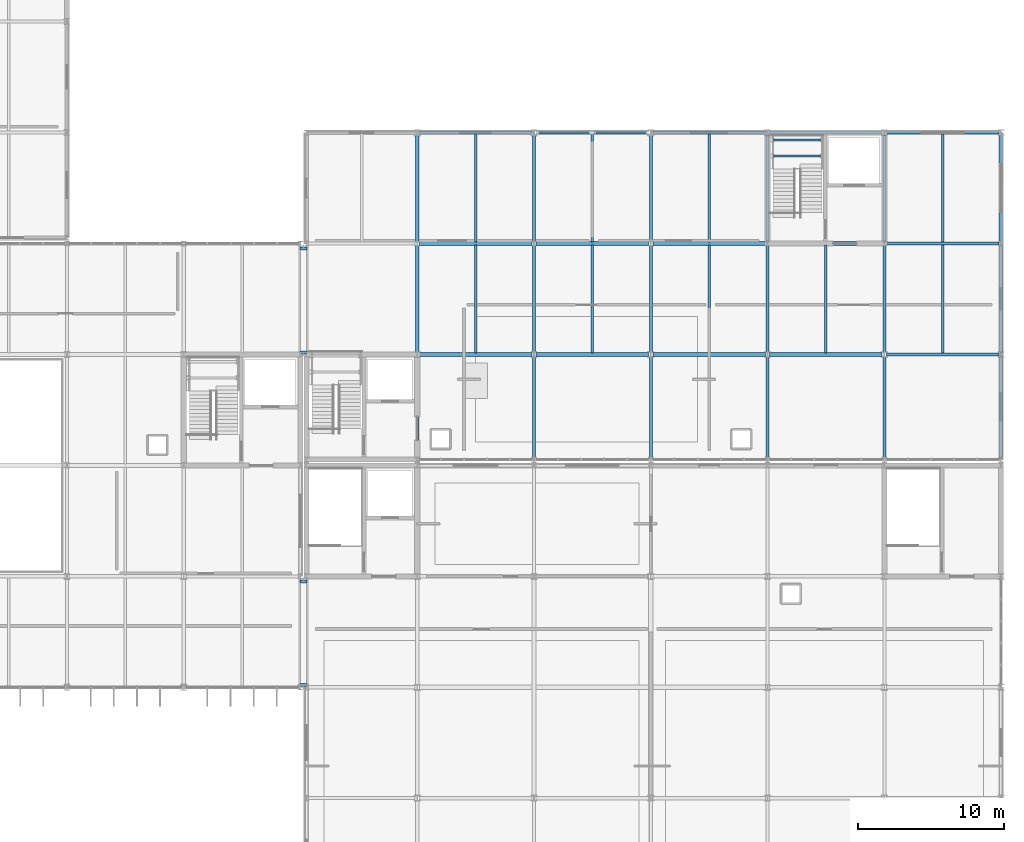
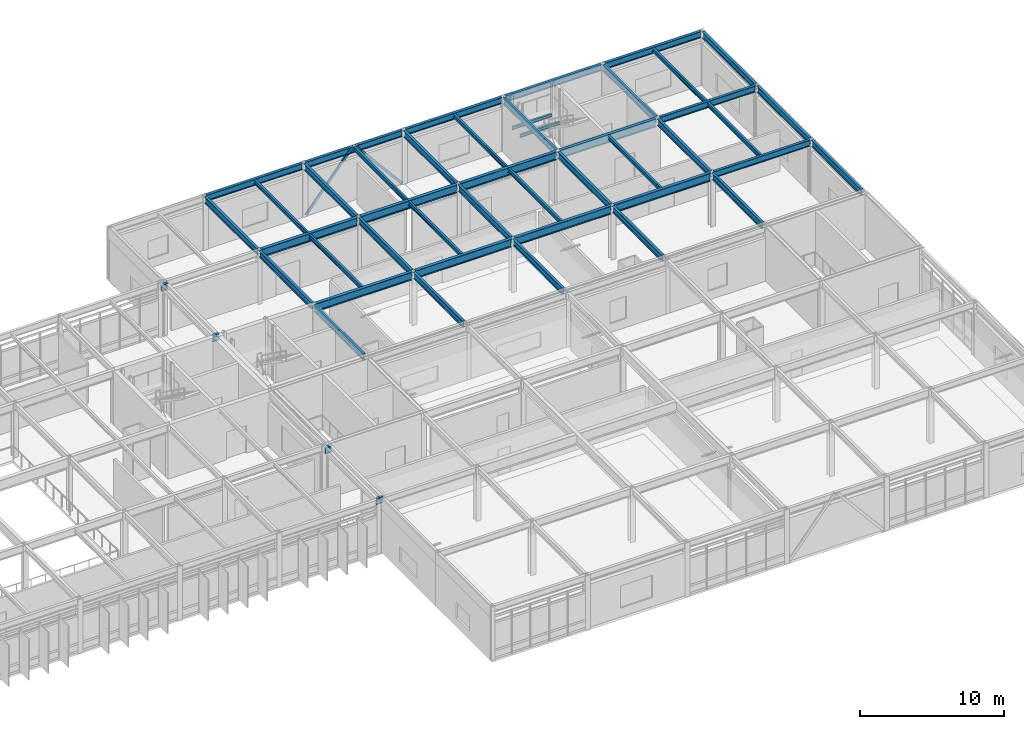
# One storey, part 68 of 104: 48 beams, 2 members.
"""IFC4 building model written with IfcOpenShell, lengths in metres."""

import ifcopenshell
import ifcopenshell.guid

model = None  # the IFC model being written
_history = None  # IfcOwnerHistory: only IFC2X3 demands one
_inside = {}  # id of a spatial element -> (the spatial element, [elements in it])
_under = {}  # id of a project, library or spatial element -> (it, [spatial elements below it])
_declared = {}  # id of a project -> (the project, [libraries it declares])
_typed = {}  # id of a type object -> (the type object, [elements of that type])
_made_of = {}  # id of a material, layer set ... -> (it, [elements and type objects made of it])


def new_model(schema):
    """Start an empty IFC model of exactly this schema.

    Asked for "IFC4X3", IfcOpenShell would pick the latest addendum, in which some entities
    have other attributes; the version numbers below select the first issue.
    IFC2X3 requires an IfcOwnerHistory on every rooted entity: one is made here for all.
    """
    global model, _history
    if schema == "IFC4X3":
        model = ifcopenshell.file(schema_version=(4, 3, 0, 0))
    else:
        model = ifcopenshell.file(schema=schema)
    _inside.clear()
    _under.clear()
    _declared.clear()
    _typed.clear()
    _made_of.clear()
    _history = None
    if model.schema == "IFC2X3":
        org = make("IfcOrganization", Name="unknown")
        user = make(
            "IfcPersonAndOrganization",
            ThePerson=make("IfcPerson", FamilyName="unknown"),
            TheOrganization=org,
        )
        app = make(
            "IfcApplication",
            ApplicationDeveloper=org,
            Version="unknown",
            ApplicationFullName="unknown",
            ApplicationIdentifier="unknown",
        )
        _history = make(
            "IfcOwnerHistory",
            OwningUser=user,
            OwningApplication=app,
            ChangeAction="ADDED",
            CreationDate=0,
        )
    return model


def make(cls, **values):
    """One entity of the class cls with the attributes given. An attribute that is None is left unset."""
    return model.create_entity(
        cls, **{name: value for name, value in values.items() if value is not None}
    )


def rooted(cls, **values):
    """An entity with a GlobalId (a new one), such as an element, a storey or a relation."""
    return make(cls, GlobalId=ifcopenshell.guid.new(), OwnerHistory=_history, **values)


def si_unit(unit_type, name, prefix=None):
    """IfcSIUnit, for example si_unit("LENGTHUNIT", "METRE", prefix="MILLI")."""
    return make("IfcSIUnit", UnitType=unit_type, Prefix=prefix, Name=name)


def assignment(units):
    """IfcUnitAssignment: the units of a project."""
    return None if units is None else make("IfcUnitAssignment", Units=units)


def point(xyz):
    """IfcCartesianPoint."""
    return None if xyz is None else make("IfcCartesianPoint", Coordinates=xyz)


def direction(xyz):
    """IfcDirection."""
    return None if xyz is None else make("IfcDirection", DirectionRatios=xyz)


def frame(location, z_axis=None, x_axis=None):
    """IfcAxis2Placement3D, a coordinate frame: its origin and axes. An axis left out is left unset."""
    return make(
        "IfcAxis2Placement3D",
        Location=point(location),
        Axis=direction(z_axis),
        RefDirection=direction(x_axis),
    )


def frame_2d(location, x_axis=None):
    """IfcAxis2Placement2D, a coordinate frame in the plane: its origin and x axis."""
    return make(
        "IfcAxis2Placement2D", Location=point(location), RefDirection=direction(x_axis)
    )


def origin():
    """The frame at (0, 0, 0) with its axes left unset."""
    return frame((0.0, 0.0, 0.0))


def origin_2d():
    """The frame at (0, 0) in the plane with its x axis left unset."""
    return frame_2d((0.0, 0.0))


def place(relative_to, where):
    """IfcLocalPlacement: puts the frame where relative to a parent placement (None: the world)."""
    return make(
        "IfcLocalPlacement", PlacementRelTo=relative_to, RelativePlacement=where
    )


def context(
    kind, dimensions, precision=None, world=None, true_north=None, identifier=None
):
    """IfcGeometricRepresentationContext, for example the 3D "Model" context."""
    return make(
        "IfcGeometricRepresentationContext",
        ContextIdentifier=identifier,
        ContextType=kind,
        CoordinateSpaceDimension=dimensions,
        Precision=precision,
        WorldCoordinateSystem=world,
        TrueNorth=true_north,
    )


def subcontext(parent, identifier, kind, view, scale=None):
    """IfcGeometricRepresentationSubContext, for example "Body" below "Model"."""
    return make(
        "IfcGeometricRepresentationSubContext",
        ContextIdentifier=identifier,
        ContextType=kind,
        ParentContext=parent,
        TargetScale=scale,
        TargetView=view,
    )


def project(units=None, contexts=None):
    """IfcProject with its units and contexts."""
    return rooted(
        "IfcProject",
        Name="project",
        RepresentationContexts=contexts,
        UnitsInContext=assignment(units),
    )


def spatial(cls, under=None, at=None, **own):
    """A site, building, storey or space (cls), placed at a placement, below another one or the project."""
    s = rooted(cls, ObjectPlacement=at, **own)
    if under is not None:
        _under.setdefault(under.id(), (under, []))[1].append(s)
    return s


def profile(cls, at=None, kind="AREA", **sizes):
    """A parametric profile (cls). Its sizes go by their IFC names, for example OverallWidth=200.0."""
    return make(cls, ProfileType=kind, Position=at, **sizes)


def hollow_rectangle(**sizes):
    """IfcRectangleHollowProfileDef."""
    return profile("IfcRectangleHollowProfileDef", **sizes)


def i_section(**sizes):
    """IfcIShapeProfileDef."""
    return profile("IfcIShapeProfileDef", **sizes)


def extrude(swept, where, along, depth):
    """IfcExtrudedAreaSolid: the profile swept, set in the frame where, extruded along a direction by depth."""
    return make(
        "IfcExtrudedAreaSolid",
        SweptArea=swept,
        Position=where,
        ExtrudedDirection=direction(along),
        Depth=depth,
    )


def shape(context_of_items, identifier, shape_type, items):
    """IfcShapeRepresentation: the items that make up one representation, for example the "Body"."""
    return make(
        "IfcShapeRepresentation",
        ContextOfItems=context_of_items,
        RepresentationIdentifier=identifier,
        RepresentationType=shape_type,
        Items=items,
    )


def material(Name=None, Category=None):
    """IfcMaterial."""
    return make("IfcMaterial", Name=Name, Category=Category)


def material_profile(
    of_material, cross_section, Name=None, Category=None, Priority=None
):
    """IfcMaterialProfile: a cross section and its material."""
    return make(
        "IfcMaterialProfile",
        Name=Name,
        Material=of_material,
        Profile=cross_section,
        Priority=Priority,
        Category=Category,
    )


def profile_set(profiles, Name=None, composite=None):
    """IfcMaterialProfileSet."""
    return make(
        "IfcMaterialProfileSet",
        Name=Name,
        MaterialProfiles=profiles,
        CompositeProfile=composite,
    )


def made_of(thing, what):
    """Note that an element or type object is made of a material, layer set ...; save() writes the relation."""
    if what is not None:
        _made_of.setdefault(what.id(), (what, []))[1].append(thing)
    return thing


def type_object(cls, material=None, **own):
    """A type object (cls), such as IfcWallType, which elements share."""
    return made_of(rooted(cls, **own), material)


def element(
    cls,
    number,
    at=None,
    inside=None,
    cuts=None,
    type_object=None,
    material=None,
    context=None,
    identifier="Body",
    shape_type=None,
    held_by="IfcProductDefinitionShape",
    body=None,
    shapes=None,
    **own,
):
    """One element of the class cls, such as IfcWall. Its Tag is "e" and its number.

    at: its placement. inside: the storey or other place that contains it. cuts: it is an
    opening in that element (IfcRelVoidsElement). A single representation is given by context,
    identifier, shape_type and body (its items); several are given by shapes. held_by: the class
    of the entity that holds the representations. save() writes the other relations.
    """
    e = rooted(cls, Tag="e%d" % number, ObjectPlacement=at, **own)
    if body is not None:
        shapes = [shape(context, identifier, shape_type, body)]
    if shapes is not None:
        e.Representation = make(held_by, Representations=shapes)
    if inside is not None:
        _inside.setdefault(inside.id(), (inside, []))[1].append(e)
    if cuts is not None:
        rooted(
            "IfcRelVoidsElement", RelatingBuildingElement=cuts, RelatedOpeningElement=e
        )
    if type_object is not None:
        _typed.setdefault(type_object.id(), (type_object, []))[1].append(e)
    return made_of(e, material)


def aggregate(whole, parts):
    """IfcRelAggregates: a whole, such as a stair, and the parts it consists of."""
    return rooted("IfcRelAggregates", RelatingObject=whole, RelatedObjects=parts)


def save(model, path):
    """Write the relations noted so far, then the file.

    IfcRelAggregates (storeys below a building ...), IfcRelContainedInSpatialStructure (elements
    in a storey), IfcRelDefinesByType, IfcRelAssociatesMaterial and IfcRelDeclares: one each for
    every whole, place, type object, material and project.
    """
    for whole, parts in _under.values():
        aggregate(whole, parts)
    for where, things in _inside.values():
        rooted(
            "IfcRelContainedInSpatialStructure",
            RelatedElements=things,
            RelatingStructure=where,
        )
    for kind, things in _typed.values():
        rooted("IfcRelDefinesByType", RelatedObjects=things, RelatingType=kind)
    for what, things in _made_of.values():
        rooted("IfcRelAssociatesMaterial", RelatedObjects=things, RelatingMaterial=what)
    for by, libraries in _declared.values():
        rooted("IfcRelDeclares", RelatingContext=by, RelatedDefinitions=libraries)
    model.write(path)


model = new_model("IFC4")

# Units and contexts
model_context = context("Model", 3, precision=1e-05, world=origin(), true_north=direction((0.0, 1.0)))
body_context = subcontext(model_context, "Body", "Model", "MODEL_VIEW")
ifc_project = project(units=[si_unit("LENGTHUNIT", "METRE"), si_unit("AREAUNIT", "SQUARE_METRE"), si_unit("VOLUMEUNIT", "CUBIC_METRE"), si_unit("PLANEANGLEUNIT", "RADIAN"), si_unit("MASSUNIT", "GRAM", prefix="KILO")], contexts=[model_context])

# Site, building, storey
site_placement = place(None, origin())
site = spatial("IfcSite", under=ifc_project, at=site_placement, CompositionType="ELEMENT")
building_placement = place(site_placement, origin())
building = spatial("IfcBuilding", under=site, at=building_placement, Name="Zulena Civic Courthouse", CompositionType="ELEMENT")
storey_placement = place(building_placement, frame((0.0, 0.0, 15.60009765625)))
storey = spatial("IfcBuildingStorey", under=building, at=storey_placement, Name="L03", CompositionType="ELEMENT", Elevation=15.60009765625)

# Members
ifc_material_1 = material(Name="Steel ASTM A500 Grade C", Category="steel")
ifc_material_profile_1 = material_profile(ifc_material_1, hollow_rectangle(XDim=0.10205078125, YDim=0.202880859375, WallThickness=0.0087890625, at=origin_2d()), Name="HSS8X4X3/8")
ifc_profile_set_1 = profile_set([ifc_material_profile_1], Name="Steel ASTM A500 Grade C")
member_type = type_object("IfcMemberType", Name="Brace_HSS8X4", PredefinedType="BRACE", material=ifc_profile_set_1)
for number, where, z_axis, x_axis, name in (
    (1, (140.14990234375, 53.199951171875, 0.010009765625), (0.641034700676, 0.0, 0.767511897321), (0.0, 1.0, 0.0), "brace:V3:L03:3:0"),
    (2, (147.85009765625, 53.199951171875, 0.010009765625), (-0.641034700676, 0.0, 0.767511897321), (0.0, -1.0, 0.0), "brace:V3:L03:3:1"),
):
    element("IfcMember", number, at=place(storey_placement, frame(where, z_axis=z_axis, x_axis=x_axis)), inside=storey, type_object=member_type, Name=name, PredefinedType="BRACE", context=body_context, shape_type="SweptSolid", body=[
        extrude(hollow_rectangle(XDim=0.10205078125, YDim=0.202880859375, WallThickness=0.0087890625, at=origin_2d()), origin(), (0.0, 0.0, 1.0), 5.927978515625),
    ])

# Beams
ifc_material_2 = material(Name="Steel ASTM A992 Grade 50", Category="steel")
ifc_material_profile_2 = material_profile(ifc_material_2, i_section(OverallWidth=0.2099609375, OverallDepth=0.537109375, WebThickness=0.010986328125, FlangeThickness=0.017333984375, FilletRadius=0.0126953125, at=origin_2d()), Name="W21X68")
ifc_profile_set_2 = profile_set([ifc_material_profile_2], Name="Steel ASTM A992 Grade 50")
beam_type_1 = type_object("IfcBeamType", Name="BridgeGirder_W21X68", PredefinedType="BEAM", material=ifc_profile_set_2)
for number, where, z_axis, x_axis, name in (
    (3, (123.949951171875, 15.35009765625, 4.31640625), (1.0, 0.0, 0.0), (0.0, 1.0, 0.0), "beam:bridgeroof:BR-41:15.35"),
    (4, (123.949951171875, 22.449951171875, 4.31640625), (1.0, 0.0, 0.0), (0.0, 1.0, 0.0), "beam:bridgeroof:BR-41:22.45"),
    (5, (123.949951171875, 38.14990234375, 4.31640625), (1.0, 0.0, 0.0), (0.0, 1.0, 0.0), "beam:bridgeroof:BR-43:38.15"),
    (6, (123.949951171875, 45.25, 4.31640625), (1.0, 0.0, 0.0), (0.0, 1.0, 0.0), "beam:bridgeroof:BR-43:45.25"),
):
    element("IfcBeam", number, at=place(storey_placement, frame(where, z_axis=z_axis, x_axis=x_axis)), inside=storey, type_object=beam_type_1, Name=name, PredefinedType="BEAM", context=body_context, shape_type="SweptSolid", body=[
        extrude(i_section(OverallWidth=0.2099609375, OverallDepth=0.537109375, WebThickness=0.010986328125, FlangeThickness=0.017333984375, FilletRadius=0.0126953125, at=origin_2d()), origin(), (0.0, 0.0, 1.0), 0.5),
    ])
ifc_material_profile_3 = material_profile(ifc_material_2, i_section(OverallWidth=0.2099609375, OverallDepth=0.537109375, WebThickness=0.010986328125, FlangeThickness=0.017333984375, FilletRadius=0.0126953125, at=origin_2d()), Name="W21X68")
ifc_profile_set_3 = profile_set([ifc_material_profile_3], Name="Steel ASTM A992 Grade 50")
beam_type_2 = type_object("IfcBeamType", Name="Girder_W21X68", PredefinedType="BEAM", material=ifc_profile_set_3)
for number, where, z_axis, x_axis, name in (
    (7, (132.0, 38.14501953125, 4.2763671875), (0.0, 1.0, 0.0), (-1.0, 0.0, 0.0), "beam:Y:V3:L03:132.0:38.0_45.6"),
    (8, (140.0, 38.14501953125, 4.2763671875), (0.0, 1.0, 0.0), (-1.0, 0.0, 0.0), "beam:Y:V3:L03:140.0:38.0_45.6"),
    (9, (148.0, 38.14501953125, 4.2763671875), (0.0, 1.0, 0.0), (-1.0, 0.0, 0.0), "beam:Y:V3:L03:148.0:38.0_45.6"),
    (10, (156.0, 38.14501953125, 4.2763671875), (0.0, 1.0, 0.0), (-1.0, 0.0, 0.0), "beam:Y:V3:L03:156.0:38.0_45.6"),
    (11, (164.0, 38.14501953125, 4.2763671875), (0.0, 1.0, 0.0), (-1.0, 0.0, 0.0), "beam:Y:V3:L03:164.0:38.0_45.6"),
):
    element("IfcBeam", number, at=place(storey_placement, frame(where, z_axis=z_axis, x_axis=x_axis)), inside=storey, type_object=beam_type_2, Name=name, PredefinedType="BEAM", context=body_context, shape_type="SweptSolid", body=[
        extrude(i_section(OverallWidth=0.2099609375, OverallDepth=0.537109375, WebThickness=0.010986328125, FlangeThickness=0.017333984375, FilletRadius=0.0126953125, at=origin_2d()), origin(), (0.0, 0.0, 1.0), 7.31005859375),
    ])
ifc_material_profile_4 = material_profile(ifc_material_2, i_section(OverallWidth=0.25390625, OverallDepth=0.68798828125, WebThickness=0.01318359375, FlangeThickness=0.02099609375, FilletRadius=0.0166015625, at=origin_2d()), Name="W27X102")
ifc_profile_set_4 = profile_set([ifc_material_profile_4], Name="Steel ASTM A992 Grade 50")
beam_type_3 = type_object("IfcBeamType", Name="Girder_W27X102", PredefinedType="BEAM", material=ifc_profile_set_4)
for number, where, z_axis, x_axis, name in (
    (12, (132.14501953125, 38.0, 4.200927734375), (1.0, 0.0, 0.0), (0.0, 1.0, 0.0), "beam:X:V3:L03:38.0:132.0_140.0"),
    (13, (140.14501953125, 38.0, 4.200927734375), (1.0, 0.0, 0.0), (0.0, 1.0, 0.0), "beam:X:V3:L03:38.0:140.0_148.0"),
    (14, (148.14501953125, 38.0, 4.200927734375), (1.0, 0.0, 0.0), (0.0, 1.0, 0.0), "beam:X:V3:L03:38.0:148.0_156.0"),
    (15, (156.14501953125, 38.0, 4.200927734375), (1.0, 0.0, 0.0), (0.0, 1.0, 0.0), "beam:X:V3:L03:38.0:156.0_164.0"),
    (16, (132.14501953125, 45.60009765625, 4.200927734375), (1.0, 0.0, 0.0), (0.0, 1.0, 0.0), "beam:X:V3:L03:45.6:132.0_140.0"),
    (17, (140.14501953125, 45.60009765625, 4.200927734375), (1.0, 0.0, 0.0), (0.0, 1.0, 0.0), "beam:X:V3:L03:45.6:140.0_148.0"),
    (18, (148.14501953125, 45.60009765625, 4.200927734375), (1.0, 0.0, 0.0), (0.0, 1.0, 0.0), "beam:X:V3:L03:45.6:148.0_156.0"),
    (19, (156.14501953125, 45.60009765625, 4.200927734375), (1.0, 0.0, 0.0), (0.0, 1.0, 0.0), "beam:X:V3:L03:45.6:156.0_164.0"),
):
    element("IfcBeam", number, at=place(storey_placement, frame(where, z_axis=z_axis, x_axis=x_axis)), inside=storey, type_object=beam_type_3, Name=name, PredefinedType="BEAM", context=body_context, shape_type="SweptSolid", body=[
        extrude(i_section(OverallWidth=0.25390625, OverallDepth=0.68798828125, WebThickness=0.01318359375, FlangeThickness=0.02099609375, FilletRadius=0.0166015625, at=origin_2d()), origin(), (0.0, 0.0, 1.0), 7.7099609375),
    ])
ifc_material_profile_5 = material_profile(ifc_material_2, i_section(OverallWidth=0.14599609375, OverallDepth=0.258056640625, WebThickness=0.006103515625, FlangeThickness=0.009033203125, FilletRadius=0.007568359375, at=origin_2d()), Name="W10X22")
ifc_profile_set_5 = profile_set([ifc_material_profile_5], Name="Steel ASTM A992 Grade 50")
beam_type_4 = type_object("IfcBeamType", Name="Joist_W10X22", PredefinedType="JOIST", material=ifc_profile_set_5)
for number, where, z_axis, x_axis, name in (
    (20, (156.419921875, 51.60009765625, 1.990966796875), (1.0, 0.0, 0.0), (0.0, 1.0, 0.0), "beam:lnd:K3B:L03:0"),
    (21, (156.419921875, 52.699951171875, 1.990966796875), (1.0, 0.0, 0.0), (0.0, 1.0, 0.0), "beam:lnd:K3B:L03:1"),
):
    element("IfcBeam", number, at=place(storey_placement, frame(where, z_axis=z_axis, x_axis=x_axis)), inside=storey, type_object=beam_type_4, Name=name, PredefinedType="JOIST", context=body_context, shape_type="SweptSolid", body=[
        extrude(i_section(OverallWidth=0.14599609375, OverallDepth=0.258056640625, WebThickness=0.006103515625, FlangeThickness=0.009033203125, FilletRadius=0.007568359375, at=origin_2d()), origin(), (0.0, 0.0, 1.0), 3.2001953125),
    ])
ifc_material_profile_6 = material_profile(ifc_material_2, i_section(OverallWidth=0.1708984375, OverallDepth=0.35205078125, WebThickness=0.0068359375, FlangeThickness=0.009765625, FilletRadius=0.01025390625, at=origin_2d()), Name="W14X30")
ifc_profile_set_6 = profile_set([ifc_material_profile_6], Name="Steel ASTM A992 Grade 50")
beam_type_5 = type_object("IfcBeamType", Name="Joist_W14X30", PredefinedType="JOIST", material=ifc_profile_set_6)
beam_1_placement = place(storey_placement, frame((136.0, 38.10498046875, 4.368896484375), z_axis=(0.0, 1.0, 0.0), x_axis=(-1.0, 0.0, 0.0)))
element("IfcBeam", 22, at=beam_1_placement, inside=storey, type_object=beam_type_5, Name="joist:V3:L03:136.00:38.0_45.6", PredefinedType="JOIST", context=body_context, shape_type="SweptSolid", body=[
    extrude(i_section(OverallWidth=0.1708984375, OverallDepth=0.35205078125, WebThickness=0.0068359375, FlangeThickness=0.009765625, FilletRadius=0.01025390625, at=origin_2d()), origin(), (0.0, 0.0, 1.0), 7.39013671875),
])
beam_2_placement = place(storey_placement, frame((136.0, 45.705078125, 4.368896484375), z_axis=(0.0, 1.0, 0.0), x_axis=(-1.0, 0.0, 0.0)))
element("IfcBeam", 23, at=beam_2_placement, inside=storey, type_object=beam_type_5, Name="joist:V3:L03:136.00:45.6_53.2", PredefinedType="JOIST", context=body_context, shape_type="SweptSolid", body=[
    extrude(i_section(OverallWidth=0.1708984375, OverallDepth=0.35205078125, WebThickness=0.0068359375, FlangeThickness=0.009765625, FilletRadius=0.01025390625, at=origin_2d()), origin(), (0.0, 0.0, 1.0), 7.389892578125),
])
beam_3_placement = place(storey_placement, frame((144.0, 38.10498046875, 4.368896484375), z_axis=(0.0, 1.0, 0.0), x_axis=(-1.0, 0.0, 0.0)))
element("IfcBeam", 24, at=beam_3_placement, inside=storey, type_object=beam_type_5, Name="joist:V3:L03:144.00:38.0_45.6", PredefinedType="JOIST", context=body_context, shape_type="SweptSolid", body=[
    extrude(i_section(OverallWidth=0.1708984375, OverallDepth=0.35205078125, WebThickness=0.0068359375, FlangeThickness=0.009765625, FilletRadius=0.01025390625, at=origin_2d()), origin(), (0.0, 0.0, 1.0), 7.39013671875),
])
beam_4_placement = place(storey_placement, frame((144.0, 45.705078125, 4.368896484375), z_axis=(0.0, 1.0, 0.0), x_axis=(-1.0, 0.0, 0.0)))
element("IfcBeam", 25, at=beam_4_placement, inside=storey, type_object=beam_type_5, Name="joist:V3:L03:144.00:45.6_53.2", PredefinedType="JOIST", context=body_context, shape_type="SweptSolid", body=[
    extrude(i_section(OverallWidth=0.1708984375, OverallDepth=0.35205078125, WebThickness=0.0068359375, FlangeThickness=0.009765625, FilletRadius=0.01025390625, at=origin_2d()), origin(), (0.0, 0.0, 1.0), 7.389892578125),
])
beam_5_placement = place(storey_placement, frame((152.0, 38.10498046875, 4.368896484375), z_axis=(0.0, 1.0, 0.0), x_axis=(-1.0, 0.0, 0.0)))
element("IfcBeam", 26, at=beam_5_placement, inside=storey, type_object=beam_type_5, Name="joist:V3:L03:152.00:38.0_45.6", PredefinedType="JOIST", context=body_context, shape_type="SweptSolid", body=[
    extrude(i_section(OverallWidth=0.1708984375, OverallDepth=0.35205078125, WebThickness=0.0068359375, FlangeThickness=0.009765625, FilletRadius=0.01025390625, at=origin_2d()), origin(), (0.0, 0.0, 1.0), 7.39013671875),
])
beam_6_placement = place(storey_placement, frame((152.0, 45.705078125, 4.368896484375), z_axis=(0.0, 1.0, 0.0), x_axis=(-1.0, 0.0, 0.0)))
element("IfcBeam", 27, at=beam_6_placement, inside=storey, type_object=beam_type_5, Name="joist:V3:L03:152.00:45.6_53.2", PredefinedType="JOIST", context=body_context, shape_type="SweptSolid", body=[
    extrude(i_section(OverallWidth=0.1708984375, OverallDepth=0.35205078125, WebThickness=0.0068359375, FlangeThickness=0.009765625, FilletRadius=0.01025390625, at=origin_2d()), origin(), (0.0, 0.0, 1.0), 7.389892578125),
])
for number, where, z_axis, x_axis, name in (
    (28, (160.0, 38.10498046875, 4.368896484375), (0.0, 1.0, 0.0), (-1.0, 0.0, 0.0), "joist:V3:L03:160.00:38.0_45.6"),
    (29, (168.0, 38.10498046875, 4.368896484375), (0.0, 1.0, 0.0), (-1.0, 0.0, 0.0), "joist:V3:L03:168.00:38.0_45.6"),
):
    element("IfcBeam", number, at=place(storey_placement, frame(where, z_axis=z_axis, x_axis=x_axis)), inside=storey, type_object=beam_type_5, Name=name, PredefinedType="JOIST", context=body_context, shape_type="SweptSolid", body=[
        extrude(i_section(OverallWidth=0.1708984375, OverallDepth=0.35205078125, WebThickness=0.0068359375, FlangeThickness=0.009765625, FilletRadius=0.01025390625, at=origin_2d()), origin(), (0.0, 0.0, 1.0), 7.39013671875),
    ])
beam_7_placement = place(storey_placement, frame((168.0, 45.705078125, 4.368896484375), z_axis=(0.0, 1.0, 0.0), x_axis=(-1.0, 0.0, 0.0)))
element("IfcBeam", 30, at=beam_7_placement, inside=storey, type_object=beam_type_5, Name="joist:V3:L03:168.00:45.6_53.2", PredefinedType="JOIST", context=body_context, shape_type="SweptSolid", body=[
    extrude(i_section(OverallWidth=0.1708984375, OverallDepth=0.35205078125, WebThickness=0.0068359375, FlangeThickness=0.009765625, FilletRadius=0.01025390625, at=origin_2d()), origin(), (0.0, 0.0, 1.0), 7.389892578125),
])
ifc_material_profile_7 = material_profile(ifc_material_2, i_section(OverallWidth=0.2099609375, OverallDepth=0.537109375, WebThickness=0.010986328125, FlangeThickness=0.017333984375, FilletRadius=0.0126953125, at=origin_2d()), Name="W21X68")
ifc_profile_set_7 = profile_set([ifc_material_profile_7], Name="Steel ASTM A992 Grade 50")
beam_type_6 = type_object("IfcBeamType", Name="Spandrel_W21X68", PredefinedType="SPANDREL", material=ifc_profile_set_7)
for number, where, z_axis, x_axis, name in (
    (31, (164.14501953125, 38.0, 4.2763671875), (1.0, 0.0, 0.0), (0.0, 1.0, 0.0), "beam:X:V3:L03:38.0:164.0_172.0"),
    (32, (164.14501953125, 45.60009765625, 4.2763671875), (1.0, 0.0, 0.0), (0.0, 1.0, 0.0), "beam:X:V3:L03:45.6:164.0_172.0"),
    (33, (132.14501953125, 53.199951171875, 4.2763671875), (1.0, 0.0, 0.0), (0.0, 1.0, 0.0), "beam:X:V3:L03:53.2:132.0_140.0"),
    (34, (140.14501953125, 53.199951171875, 4.2763671875), (1.0, 0.0, 0.0), (0.0, 1.0, 0.0), "beam:X:V3:L03:53.2:140.0_148.0"),
    (35, (148.14501953125, 53.199951171875, 4.2763671875), (1.0, 0.0, 0.0), (0.0, 1.0, 0.0), "beam:X:V3:L03:53.2:148.0_156.0"),
    (36, (156.14501953125, 53.199951171875, 4.2763671875), (1.0, 0.0, 0.0), (0.0, 1.0, 0.0), "beam:X:V3:L03:53.2:156.0_164.0"),
    (37, (164.14501953125, 53.199951171875, 4.2763671875), (1.0, 0.0, 0.0), (0.0, 1.0, 0.0), "beam:X:V3:L03:53.2:164.0_172.0"),
):
    element("IfcBeam", number, at=place(storey_placement, frame(where, z_axis=z_axis, x_axis=x_axis)), inside=storey, type_object=beam_type_6, Name=name, PredefinedType="SPANDREL", context=body_context, shape_type="SweptSolid", body=[
        extrude(i_section(OverallWidth=0.2099609375, OverallDepth=0.537109375, WebThickness=0.010986328125, FlangeThickness=0.017333984375, FilletRadius=0.0126953125, at=origin_2d()), origin(), (0.0, 0.0, 1.0), 7.7099609375),
    ])
beam_8_placement = place(storey_placement, frame((132.0, 30.945068359375, 4.2763671875), z_axis=(0.0, 1.0, 0.0), x_axis=(-1.0, 0.0, 0.0)))
element("IfcBeam", 38, at=beam_8_placement, inside=storey, type_object=beam_type_6, Name="beam:Y:V3:L03:132.0:30.8_38.0", PredefinedType="SPANDREL", context=body_context, shape_type="SweptSolid", body=[
    extrude(i_section(OverallWidth=0.2099609375, OverallDepth=0.537109375, WebThickness=0.010986328125, FlangeThickness=0.017333984375, FilletRadius=0.0126953125, at=origin_2d()), origin(), (0.0, 0.0, 1.0), 6.909912109375),
])
beam_9_placement = place(storey_placement, frame((132.0, 45.7451171875, 4.2763671875), z_axis=(0.0, 1.0, 0.0), x_axis=(-1.0, 0.0, 0.0)))
element("IfcBeam", 39, at=beam_9_placement, inside=storey, type_object=beam_type_6, Name="beam:Y:V3:L03:132.0:45.6_53.2", PredefinedType="SPANDREL", context=body_context, shape_type="SweptSolid", body=[
    extrude(i_section(OverallWidth=0.2099609375, OverallDepth=0.537109375, WebThickness=0.010986328125, FlangeThickness=0.017333984375, FilletRadius=0.0126953125, at=origin_2d()), origin(), (0.0, 0.0, 1.0), 7.309814453125),
])
beam_10_placement = place(storey_placement, frame((140.0, 30.945068359375, 4.2763671875), z_axis=(0.0, 1.0, 0.0), x_axis=(-1.0, 0.0, 0.0)))
element("IfcBeam", 40, at=beam_10_placement, inside=storey, type_object=beam_type_6, Name="beam:Y:V3:L03:140.0:30.8_38.0", PredefinedType="SPANDREL", context=body_context, shape_type="SweptSolid", body=[
    extrude(i_section(OverallWidth=0.2099609375, OverallDepth=0.537109375, WebThickness=0.010986328125, FlangeThickness=0.017333984375, FilletRadius=0.0126953125, at=origin_2d()), origin(), (0.0, 0.0, 1.0), 6.909912109375),
])
beam_11_placement = place(storey_placement, frame((140.0, 45.7451171875, 4.2763671875), z_axis=(0.0, 1.0, 0.0), x_axis=(-1.0, 0.0, 0.0)))
element("IfcBeam", 41, at=beam_11_placement, inside=storey, type_object=beam_type_6, Name="beam:Y:V3:L03:140.0:45.6_53.2", PredefinedType="SPANDREL", context=body_context, shape_type="SweptSolid", body=[
    extrude(i_section(OverallWidth=0.2099609375, OverallDepth=0.537109375, WebThickness=0.010986328125, FlangeThickness=0.017333984375, FilletRadius=0.0126953125, at=origin_2d()), origin(), (0.0, 0.0, 1.0), 7.309814453125),
])
beam_12_placement = place(storey_placement, frame((148.0, 30.945068359375, 4.2763671875), z_axis=(0.0, 1.0, 0.0), x_axis=(-1.0, 0.0, 0.0)))
element("IfcBeam", 42, at=beam_12_placement, inside=storey, type_object=beam_type_6, Name="beam:Y:V3:L03:148.0:30.8_38.0", PredefinedType="SPANDREL", context=body_context, shape_type="SweptSolid", body=[
    extrude(i_section(OverallWidth=0.2099609375, OverallDepth=0.537109375, WebThickness=0.010986328125, FlangeThickness=0.017333984375, FilletRadius=0.0126953125, at=origin_2d()), origin(), (0.0, 0.0, 1.0), 6.909912109375),
])
beam_13_placement = place(storey_placement, frame((148.0, 45.7451171875, 4.2763671875), z_axis=(0.0, 1.0, 0.0), x_axis=(-1.0, 0.0, 0.0)))
element("IfcBeam", 43, at=beam_13_placement, inside=storey, type_object=beam_type_6, Name="beam:Y:V3:L03:148.0:45.6_53.2", PredefinedType="SPANDREL", context=body_context, shape_type="SweptSolid", body=[
    extrude(i_section(OverallWidth=0.2099609375, OverallDepth=0.537109375, WebThickness=0.010986328125, FlangeThickness=0.017333984375, FilletRadius=0.0126953125, at=origin_2d()), origin(), (0.0, 0.0, 1.0), 7.309814453125),
])
beam_14_placement = place(storey_placement, frame((156.0, 30.945068359375, 4.2763671875), z_axis=(0.0, 1.0, 0.0), x_axis=(-1.0, 0.0, 0.0)))
element("IfcBeam", 44, at=beam_14_placement, inside=storey, type_object=beam_type_6, Name="beam:Y:V3:L03:156.0:30.8_38.0", PredefinedType="SPANDREL", context=body_context, shape_type="SweptSolid", body=[
    extrude(i_section(OverallWidth=0.2099609375, OverallDepth=0.537109375, WebThickness=0.010986328125, FlangeThickness=0.017333984375, FilletRadius=0.0126953125, at=origin_2d()), origin(), (0.0, 0.0, 1.0), 6.909912109375),
])
beam_15_placement = place(storey_placement, frame((156.0, 45.7451171875, 4.2763671875), z_axis=(0.0, 1.0, 0.0), x_axis=(-1.0, 0.0, 0.0)))
element("IfcBeam", 45, at=beam_15_placement, inside=storey, type_object=beam_type_6, Name="beam:Y:V3:L03:156.0:45.6_53.2", PredefinedType="SPANDREL", context=body_context, shape_type="SweptSolid", body=[
    extrude(i_section(OverallWidth=0.2099609375, OverallDepth=0.537109375, WebThickness=0.010986328125, FlangeThickness=0.017333984375, FilletRadius=0.0126953125, at=origin_2d()), origin(), (0.0, 0.0, 1.0), 7.309814453125),
])
beam_16_placement = place(storey_placement, frame((164.0, 30.945068359375, 4.2763671875), z_axis=(0.0, 1.0, 0.0), x_axis=(-1.0, 0.0, 0.0)))
element("IfcBeam", 46, at=beam_16_placement, inside=storey, type_object=beam_type_6, Name="beam:Y:V3:L03:164.0:30.8_38.0", PredefinedType="SPANDREL", context=body_context, shape_type="SweptSolid", body=[
    extrude(i_section(OverallWidth=0.2099609375, OverallDepth=0.537109375, WebThickness=0.010986328125, FlangeThickness=0.017333984375, FilletRadius=0.0126953125, at=origin_2d()), origin(), (0.0, 0.0, 1.0), 6.909912109375),
])
beam_17_placement = place(storey_placement, frame((164.0, 45.7451171875, 4.2763671875), z_axis=(0.0, 1.0, 0.0), x_axis=(-1.0, 0.0, 0.0)))
element("IfcBeam", 47, at=beam_17_placement, inside=storey, type_object=beam_type_6, Name="beam:Y:V3:L03:164.0:45.6_53.2", PredefinedType="SPANDREL", context=body_context, shape_type="SweptSolid", body=[
    extrude(i_section(OverallWidth=0.2099609375, OverallDepth=0.537109375, WebThickness=0.010986328125, FlangeThickness=0.017333984375, FilletRadius=0.0126953125, at=origin_2d()), origin(), (0.0, 0.0, 1.0), 7.309814453125),
])
beam_18_placement = place(storey_placement, frame((172.0, 30.945068359375, 4.2763671875), z_axis=(0.0, 1.0, 0.0), x_axis=(-1.0, 0.0, 0.0)))
element("IfcBeam", 48, at=beam_18_placement, inside=storey, type_object=beam_type_6, Name="beam:Y:V3:L03:172.0:30.8_38.0", PredefinedType="SPANDREL", context=body_context, shape_type="SweptSolid", body=[
    extrude(i_section(OverallWidth=0.2099609375, OverallDepth=0.537109375, WebThickness=0.010986328125, FlangeThickness=0.017333984375, FilletRadius=0.0126953125, at=origin_2d()), origin(), (0.0, 0.0, 1.0), 6.909912109375),
])
beam_19_placement = place(storey_placement, frame((172.0, 38.14501953125, 4.2763671875), z_axis=(0.0, 1.0, 0.0), x_axis=(-1.0, 0.0, 0.0)))
element("IfcBeam", 49, at=beam_19_placement, inside=storey, type_object=beam_type_6, Name="beam:Y:V3:L03:172.0:38.0_45.6", PredefinedType="SPANDREL", context=body_context, shape_type="SweptSolid", body=[
    extrude(i_section(OverallWidth=0.2099609375, OverallDepth=0.537109375, WebThickness=0.010986328125, FlangeThickness=0.017333984375, FilletRadius=0.0126953125, at=origin_2d()), origin(), (0.0, 0.0, 1.0), 7.31005859375),
])
beam_20_placement = place(storey_placement, frame((172.0, 45.7451171875, 4.2763671875), z_axis=(0.0, 1.0, 0.0), x_axis=(-1.0, 0.0, 0.0)))
element("IfcBeam", 50, at=beam_20_placement, inside=storey, type_object=beam_type_6, Name="beam:Y:V3:L03:172.0:45.6_53.2", PredefinedType="SPANDREL", context=body_context, shape_type="SweptSolid", body=[
    extrude(i_section(OverallWidth=0.2099609375, OverallDepth=0.537109375, WebThickness=0.010986328125, FlangeThickness=0.017333984375, FilletRadius=0.0126953125, at=origin_2d()), origin(), (0.0, 0.0, 1.0), 7.309814453125),
])

save(model, "model.ifc")
